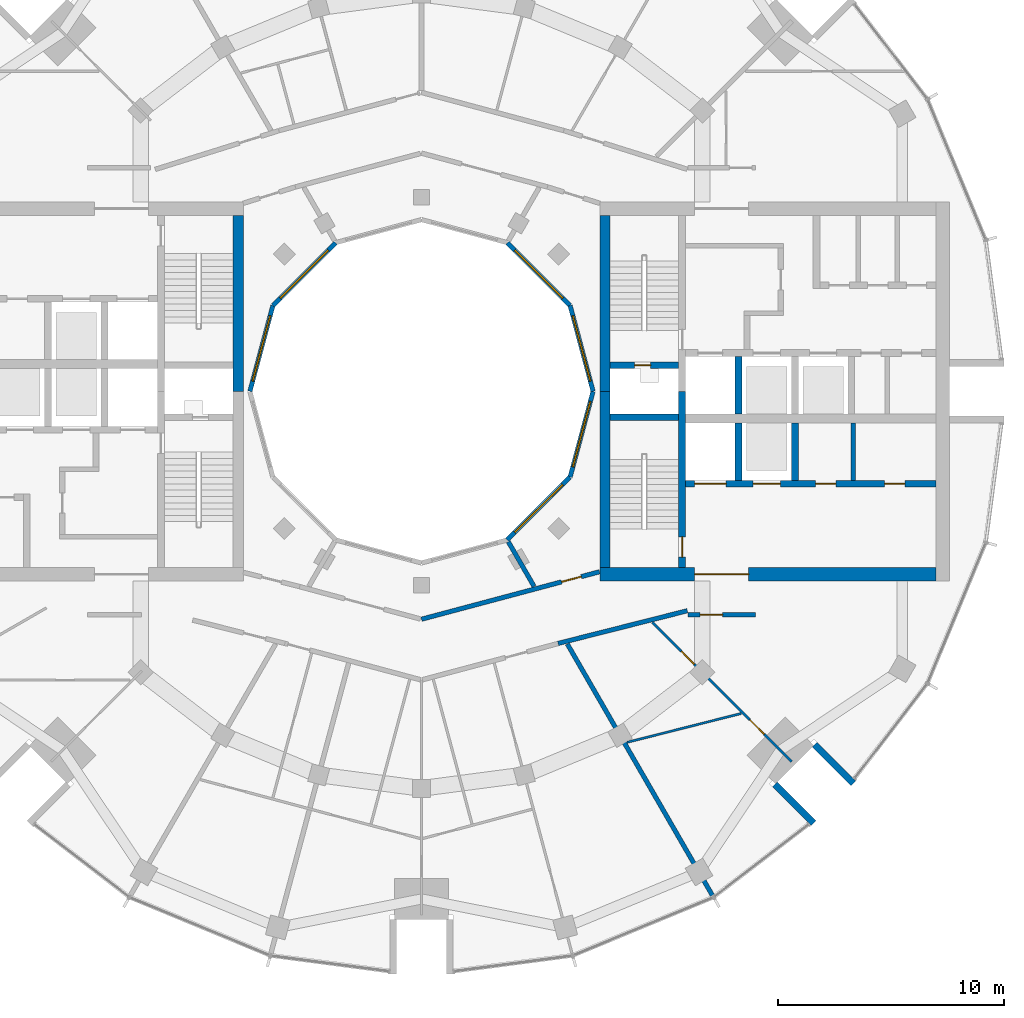
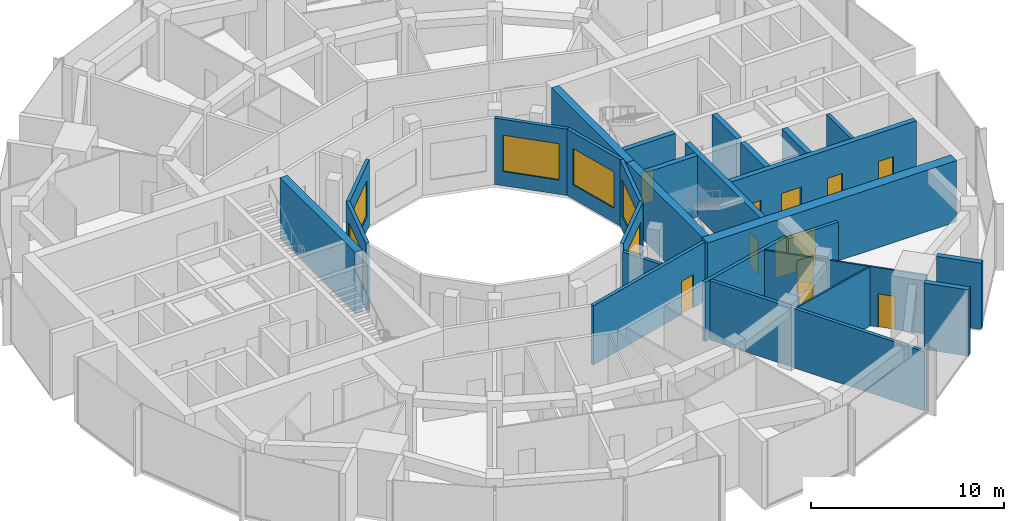
# One storey, part 10 of 15: 27 walls, 11 doors, 6 windows, 17 openings.
"""IFC4 building model written with IfcOpenShell, lengths in metres."""

from ifc_helpers import new_model, si_unit, direction, frame, frame_2d, origin, place, context, subcontext, project, spatial, rectangle, extrude, material, layer, layer_set, type_object, element, fill, save


model = new_model("IFC4")

# Units and contexts
model_context = context("Model", 3, precision=1e-05, world=origin(), true_north=direction((0.0, 1.0)))
body_context = subcontext(model_context, "Body", "Model", "MODEL_VIEW")
ifc_project = project(units=[si_unit("LENGTHUNIT", "METRE"), si_unit("AREAUNIT", "SQUARE_METRE"), si_unit("VOLUMEUNIT", "CUBIC_METRE"), si_unit("PLANEANGLEUNIT", "RADIAN"), si_unit("MASSUNIT", "GRAM", prefix="KILO")], contexts=[model_context])

# Site, building, storey
site_placement = place(None, origin())
site = spatial("IfcSite", under=ifc_project, at=site_placement, CompositionType="ELEMENT")
building_placement = place(site_placement, origin())
building = spatial("IfcBuilding", under=site, at=building_placement, Name="Torre Brocal", CompositionType="ELEMENT")
storey_placement = place(building_placement, frame((0.0, 0.0, 216.699951171875)))
storey = spatial("IfcBuildingStorey", under=building, at=storey_placement, Name="L50", CompositionType="ELEMENT", Elevation=216.699951171875)

# Wall
ifc_material_1 = material(Name="Masonry block", Category="masonry")
ifc_layer_1 = layer(ifc_material_1, 0.199951171875)
ifc_layer_set_1 = layer_set([ifc_layer_1], Name="Masonry block")
wall_type_1 = type_object("IfcWallType", Name="CORE PARTITION 200", PredefinedType="PARTITIONING", material=ifc_layer_set_1)
wall_1_placement = place(storey_placement, frame((99.139892578125, 71.050048828125, 0.0), z_axis=(0.0, 0.0, 1.0), x_axis=(0.0, 1.0, 0.0)))
element("IfcWall", 1, at=wall_1_placement, inside=storey, type_object=wall_type_1, Name="Wall CP200", PredefinedType="PARTITIONING", context=body_context, shape_type="SweptSolid", body=[
    extrude(rectangle(XDim=2.550048828125, YDim=0.199951171875, at=frame_2d((1.27490234375, 0.0))), origin(), (0.0, 0.0, 1.0), 3.880126953125),
])

# Wall, opening, door
ifc_material_2 = material(Name="Concrete C60", Category="concrete")
ifc_layer_2 = layer(ifc_material_2, 0.300048828125)
ifc_layer_set_2 = layer_set([ifc_layer_2], Name="Concrete C60")
wall_type_2 = type_object("IfcWallType", Name="CORE WALL 300 C60", PredefinedType="SHEAR", material=ifc_layer_set_2)
wall_2_placement = place(storey_placement, frame((91.550048828125, 67.199951171875, 0.0), z_axis=(0.0, 0.0, 1.0), x_axis=(0.0, 1.0, 0.0)))
wall_2 = element("IfcWall", 2, at=wall_2_placement, inside=storey, type_object=wall_type_2, Name="Wall CW300-60", PredefinedType="SHEAR", context=body_context, shape_type="SweptSolid", body=[
    extrude(rectangle(XDim=7.800048828125, YDim=0.300048828125, at=frame_2d((3.89990234375, 0.0))), origin(), (0.0, 0.0, 1.0), 3.880126953125),
])
opening_1_placement = place(wall_2_placement, frame((0.449951171875, 0.0, 0.0)))
opening_1 = element("IfcOpeningElement", 3, at=opening_1_placement, cuts=wall_2, Name="Opening E-D03", PredefinedType="OPENING", context=body_context, shape_type="SweptSolid", body=[
    extrude(rectangle(XDim=0.89990234375, YDim=2.10009765625, at=frame_2d((0.449951171875, 1.050048828125))), frame((0.0, 0.159912109375, 0.0), z_axis=(0.0, -1.0, 0.0), x_axis=(1.0, 0.0, 0.0)), (0.0, 0.0, 1.0), 0.320068359375),
])
ifc_material_3 = material(Name="Steel A653", Category="steel")
door_type_1 = type_object("IfcDoorType", Name="STAIR DOOR FD120 900X2100", OperationType="SINGLE_SWING_RIGHT", PredefinedType="DOOR", material=ifc_material_3)
door_1_placement = place(opening_1_placement, origin())
door_1 = element("IfcDoor", 4, at=door_1_placement, inside=storey, type_object=door_type_1, Name="Door E-D03", OperationType="SINGLE_SWING_LEFT", OverallHeight=2.10009765625, OverallWidth=0.89990234375, PredefinedType="DOOR", context=body_context, shape_type="SweptSolid", body=[
    extrude(rectangle(XDim=0.89990234375, YDim=2.10009765625, at=frame_2d((0.449951171875, 1.050048828125))), frame((0.0, 0.02490234375, 0.0), z_axis=(0.0, -1.0, 0.0), x_axis=(1.0, 0.0, 0.0)), (0.0, 0.0, 1.0), 0.050048828125),
])
fill(opening_1, door_1)

wall_3_placement = place(storey_placement, frame((88.35009765625, 76.14990234375, 0.0), z_axis=(0.0, 0.0, 1.0), x_axis=(1.0, 0.0, 0.0)))
wall_3 = element("IfcWall", 5, at=wall_3_placement, inside=storey, type_object=wall_type_2, Name="Wall CW300-60", PredefinedType="SHEAR", context=body_context, shape_type="SweptSolid", body=[
    extrude(rectangle(XDim=3.0498046875, YDim=0.300048828125, at=frame_2d((1.52490234375, 0.0))), origin(), (0.0, 0.0, 1.0), 3.880126953125),
])
opening_2_placement = place(wall_3_placement, frame((1.10009765625, 0.0, 0.0)))
opening_2 = element("IfcOpeningElement", 6, at=opening_2_placement, cuts=wall_3, Name="Opening E-D01", PredefinedType="OPENING", context=body_context, shape_type="SweptSolid", body=[
    extrude(rectangle(XDim=0.699951171875, YDim=2.0, at=frame_2d((0.35009765625, 1.0))), frame((0.0, 0.159912109375, 0.0), z_axis=(0.0, -1.0, 0.0), x_axis=(1.0, 0.0, 0.0)), (0.0, 0.0, 1.0), 0.320068359375),
])
ifc_material_4 = material(Name="Steel A653", Category="steel")
door_type_2 = type_object("IfcDoorType", Name="RISER DOOR FD120 700X2000", OperationType="SINGLE_SWING_LEFT", PredefinedType="DOOR", material=ifc_material_4)
door_2_placement = place(opening_2_placement, frame((0.699951171875, 0.0, 0.0), z_axis=(0.0, 0.0, 1.0), x_axis=(-1.0, 0.0, 0.0)))
door_2 = element("IfcDoor", 7, at=door_2_placement, inside=storey, type_object=door_type_2, Name="Door E-D01", OperationType="SINGLE_SWING_RIGHT", OverallHeight=2.0, OverallWidth=0.699951171875, PredefinedType="DOOR", context=body_context, shape_type="SweptSolid", body=[
    extrude(rectangle(XDim=0.699951171875, YDim=2.0, at=frame_2d((0.35009765625, 1.0))), frame((0.0, 0.02490234375, 0.0), z_axis=(0.0, -1.0, 0.0), x_axis=(1.0, 0.0, 0.0)), (0.0, 0.0, 1.0), 0.050048828125),
])
fill(opening_2, door_2)

# Wall
wall_4_placement = place(storey_placement, frame((88.35009765625, 73.85009765625, 0.0), z_axis=(0.0, 0.0, 1.0), x_axis=(1.0, 0.0, 0.0)))
element("IfcWall", 8, at=wall_4_placement, inside=storey, type_object=wall_type_2, Name="Wall CW300-60", PredefinedType="SHEAR", context=body_context, shape_type="SweptSolid", body=[
    extrude(rectangle(XDim=3.0498046875, YDim=0.300048828125, at=frame_2d((1.52490234375, 0.0))), origin(), (0.0, 0.0, 1.0), 3.880126953125),
])

# Wall, openings, doors
wall_5_placement = place(storey_placement, frame((91.699951171875, 70.89990234375, 0.0), z_axis=(0.0, 0.0, 1.0), x_axis=(1.0, 0.0, 0.0)))
wall_5 = element("IfcWall", 9, at=wall_5_placement, inside=storey, type_object=wall_type_2, Name="Wall CW300-60", PredefinedType="SHEAR", context=body_context, shape_type="SweptSolid", body=[
    extrude(rectangle(XDim=11.10009765625, YDim=0.300048828125, at=frame_2d((5.550048828125, 0.0))), origin(), (0.0, 0.0, 1.0), 3.880126953125),
])
opening_3_placement = place(wall_5_placement, frame((0.39990234375, 0.0, 0.0)))
opening_3 = element("IfcOpeningElement", 10, at=opening_3_placement, cuts=wall_5, Name="Opening LD14", PredefinedType="OPENING", context=body_context, shape_type="SweptSolid", body=[
    extrude(rectangle(XDim=1.39990234375, YDim=2.10009765625, at=frame_2d((0.699951171875, 1.050048828125))), frame((0.0, 0.159912109375, 0.0), z_axis=(0.0, -1.0, 0.0), x_axis=(1.0, 0.0, 0.0)), (0.0, 0.0, 1.0), 0.320068359375),
])
opening_4_placement = place(wall_5_placement, frame((3.0, 0.0, 0.0)))
opening_4 = element("IfcOpeningElement", 11, at=opening_4_placement, cuts=wall_5, Name="Opening LD12", PredefinedType="OPENING", context=body_context, shape_type="SweptSolid", body=[
    extrude(rectangle(XDim=1.199951171875, YDim=2.10009765625, at=frame_2d((0.60009765625, 1.050048828125))), frame((0.0, 0.159912109375, 0.0), z_axis=(0.0, -1.0, 0.0), x_axis=(1.0, 0.0, 0.0)), (0.0, 0.0, 1.0), 0.320068359375),
])
opening_5_placement = place(wall_5_placement, frame((5.77001953125, 0.0, 0.0)))
opening_5 = element("IfcOpeningElement", 12, at=opening_5_placement, cuts=wall_5, Name="Opening E-D06", PredefinedType="OPENING", context=body_context, shape_type="SweptSolid", body=[
    extrude(rectangle(XDim=0.89990234375, YDim=2.10009765625, at=frame_2d((0.449951171875, 1.050048828125))), frame((0.0, 0.159912109375, 0.0), z_axis=(0.0, -1.0, 0.0), x_axis=(1.0, 0.0, 0.0)), (0.0, 0.0, 1.0), 0.320068359375),
])
opening_6_placement = place(wall_5_placement, frame((8.820068359375, 0.0, 0.0)))
opening_6 = element("IfcOpeningElement", 13, at=opening_6_placement, cuts=wall_5, Name="Opening E-D07", PredefinedType="OPENING", context=body_context, shape_type="SweptSolid", body=[
    extrude(rectangle(XDim=0.89990234375, YDim=2.10009765625, at=frame_2d((0.449951171875, 1.050048828125))), frame((0.0, 0.159912109375, 0.0), z_axis=(0.0, -1.0, 0.0), x_axis=(1.0, 0.0, 0.0)), (0.0, 0.0, 1.0), 0.320068359375),
])
ifc_material_5 = material(Name="Stainless steel AISI 316", Category="steel")
door_type_3 = type_object("IfcDoorType", Name="LIFT LANDING DOOR 1200X2100", OperationType="DOUBLE_DOOR_SLIDING", PredefinedType="DOOR", material=ifc_material_5)
door_3_placement = place(opening_4_placement, origin())
door_3 = element("IfcDoor", 14, at=door_3_placement, inside=storey, type_object=door_type_3, Name="Door LD12", OperationType="DOUBLE_DOOR_SLIDING", OverallHeight=2.10009765625, OverallWidth=1.199951171875, PredefinedType="DOOR", context=body_context, shape_type="SweptSolid", body=[
    extrude(rectangle(XDim=1.199951171875, YDim=2.10009765625, at=frame_2d((0.60009765625, 1.050048828125))), frame((0.0, 0.02490234375, 0.0), z_axis=(0.0, -1.0, 0.0), x_axis=(1.0, 0.0, 0.0)), (0.0, 0.0, 1.0), 0.050048828125),
])
fill(opening_4, door_3)
ifc_material_6 = material(Name="Stainless steel AISI 316", Category="steel")
door_type_4 = type_object("IfcDoorType", Name="LIFT LANDING DOOR 1400X2100", OperationType="DOUBLE_DOOR_SLIDING", PredefinedType="DOOR", material=ifc_material_6)
door_4_placement = place(opening_3_placement, origin())
door_4 = element("IfcDoor", 15, at=door_4_placement, inside=storey, type_object=door_type_4, Name="Door LD14", OperationType="DOUBLE_DOOR_SLIDING", OverallHeight=2.10009765625, OverallWidth=1.39990234375, PredefinedType="DOOR", context=body_context, shape_type="SweptSolid", body=[
    extrude(rectangle(XDim=1.39990234375, YDim=2.10009765625, at=frame_2d((0.699951171875, 1.050048828125))), frame((0.0, 0.02490234375, 0.0), z_axis=(0.0, -1.0, 0.0), x_axis=(1.0, 0.0, 0.0)), (0.0, 0.0, 1.0), 0.050048828125),
])
fill(opening_3, door_4)
ifc_material_7 = material(Name="Steel A653", Category="steel")
door_type_5 = type_object("IfcDoorType", Name="ROOM DOOR FD30S 900X2100", OperationType="SINGLE_SWING_LEFT", PredefinedType="DOOR", material=ifc_material_7)
door_5_placement = place(opening_5_placement, origin())
door_5 = element("IfcDoor", 16, at=door_5_placement, inside=storey, type_object=door_type_5, Name="Door E-D06", OperationType="SINGLE_SWING_RIGHT", OverallHeight=2.10009765625, OverallWidth=0.89990234375, PredefinedType="DOOR", context=body_context, shape_type="SweptSolid", body=[
    extrude(rectangle(XDim=0.89990234375, YDim=2.10009765625, at=frame_2d((0.449951171875, 1.050048828125))), frame((0.0, 0.02490234375, 0.0), z_axis=(0.0, -1.0, 0.0), x_axis=(1.0, 0.0, 0.0)), (0.0, 0.0, 1.0), 0.050048828125),
])
fill(opening_5, door_5)
door_6_placement = place(opening_6_placement, origin())
door_6 = element("IfcDoor", 17, at=door_6_placement, inside=storey, type_object=door_type_5, Name="Door E-D07", OperationType="SINGLE_SWING_LEFT", OverallHeight=2.10009765625, OverallWidth=0.89990234375, PredefinedType="DOOR", context=body_context, shape_type="SweptSolid", body=[
    extrude(rectangle(XDim=0.89990234375, YDim=2.10009765625, at=frame_2d((0.449951171875, 1.050048828125))), frame((0.0, 0.02490234375, 0.0), z_axis=(0.0, -1.0, 0.0), x_axis=(1.0, 0.0, 0.0)), (0.0, 0.0, 1.0), 0.050048828125),
])
fill(opening_6, door_6)

# Walls
for number, where, z_axis, x_axis, name in (
    (18, (94.050048828125, 74.0, 0.0), (0.0, 0.0, 1.0), (0.0, 1.0, 0.0), "Wall CW300-60"),
    (19, (94.050048828125, 71.050048828125, 0.0), (0.0, 0.0, 1.0), (0.0, 1.0, 0.0), "Wall CW300-60"),
    (20, (96.550048828125, 71.050048828125, 0.0), (0.0, 0.0, 1.0), (0.0, 1.0, 0.0), "Wall CW300-60"),
):
    element("IfcWall", number, at=place(storey_placement, frame(where, z_axis=z_axis, x_axis=x_axis)), inside=storey, type_object=wall_type_2, Name=name, PredefinedType="SHEAR", context=body_context, shape_type="SweptSolid", body=[
        extrude(rectangle(XDim=2.550048828125, YDim=0.300048828125, at=frame_2d((1.27490234375, 0.0))), origin(), (0.0, 0.0, 1.0), 3.880126953125),
    ])
ifc_material_8 = material(Name="Concrete C60", Category="concrete")
ifc_layer_3 = layer(ifc_material_8, 0.449951171875)
ifc_layer_set_3 = layer_set([ifc_layer_3], Name="Concrete C60")
wall_type_3 = type_object("IfcWallType", Name="CORE WALL 450 C60", PredefinedType="SHEAR", material=ifc_layer_set_3)
for number, where, z_axis, x_axis, name in (
    (21, (88.125, 75.0, 0.0), (0.0, 0.0, 1.0), (0.0, 1.0, 0.0), "Wall CW450-60"),
    (22, (88.125, 67.199951171875, 0.0), (0.0, 0.0, 1.0), (0.0, 1.0, 0.0), "Wall CW450-60"),
    (23, (71.875, 82.800048828125, 0.0), (0.0, 0.0, 1.0), (0.0, -1.0, 0.0), "Wall CW450-60"),
):
    element("IfcWall", number, at=place(storey_placement, frame(where, z_axis=z_axis, x_axis=x_axis)), inside=storey, type_object=wall_type_3, Name=name, PredefinedType="SHEAR", context=body_context, shape_type="SweptSolid", body=[
        extrude(rectangle(XDim=7.800048828125, YDim=0.449951171875, at=frame_2d((3.89990234375, 0.0))), origin(), (0.0, 0.0, 1.0), 3.880126953125),
    ])

# Wall, opening, door
ifc_material_9 = material(Name="Concrete C60", Category="concrete")
ifc_layer_4 = layer(ifc_material_9, 0.60009765625)
ifc_layer_set_4 = layer_set([ifc_layer_4], Name="Concrete C60")
wall_type_4 = type_object("IfcWallType", Name="CORE WALL 600 C60", PredefinedType="SHEAR", material=ifc_layer_set_4)
wall_6_placement = place(storey_placement, frame((87.89990234375, 66.89990234375, 0.0), z_axis=(0.0, 0.0, 1.0), x_axis=(1.0, 0.0, 0.0)))
wall_6 = element("IfcWall", 24, at=wall_6_placement, inside=storey, type_object=wall_type_4, Name="Wall CW600-60", PredefinedType="SHEAR", context=body_context, shape_type="SweptSolid", body=[
    extrude(rectangle(XDim=14.900146484375, YDim=0.60009765625, at=frame_2d((7.4501953125, 0.0))), origin(), (0.0, 0.0, 1.0), 3.880126953125),
])
opening_7_placement = place(wall_6_placement, frame((4.199951171875, 0.0, 0.0)))
opening_7 = element("IfcOpeningElement", 25, at=opening_7_placement, cuts=wall_6, Name="Opening E-D13", PredefinedType="OPENING", context=body_context, shape_type="SweptSolid", body=[
    extrude(rectangle(XDim=2.39990234375, YDim=2.39990234375, at=frame_2d((1.199951171875, 1.199951171875))), frame((0.0, 0.31005859375, 0.0), z_axis=(0.0, -1.0, 0.0), x_axis=(1.0, 0.0, 0.0)), (0.0, 0.0, 1.0), 0.6201171875),
])
ifc_material_10 = material(Name="Steel A653", Category="steel")
door_type_6 = type_object("IfcDoorType", Name="DOUBLE FIRE DOOR FD90 2400X2400", OperationType="DOUBLE_DOOR_SINGLE_SWING", PredefinedType="DOOR", material=ifc_material_10)
door_7_placement = place(opening_7_placement, origin())
door_7 = element("IfcDoor", 26, at=door_7_placement, inside=storey, type_object=door_type_6, Name="Door E-D13", OperationType="DOUBLE_DOOR_SINGLE_SWING", OverallHeight=2.39990234375, OverallWidth=2.39990234375, PredefinedType="DOOR", context=body_context, shape_type="SweptSolid", body=[
    extrude(rectangle(XDim=2.39990234375, YDim=2.39990234375, at=frame_2d((1.199951171875, 1.199951171875))), frame((0.0, 0.02490234375, 0.0), z_axis=(0.0, -1.0, 0.0), x_axis=(1.0, 0.0, 0.0)), (0.0, 0.0, 1.0), 0.050048828125),
])
fill(opening_7, door_7)

# Walls
ifc_material_11 = material(Name="Concrete C60", Category="concrete")
ifc_layer_5 = layer(ifc_material_11, 0.300048828125)
ifc_layer_set_5 = layer_set([ifc_layer_5], Name="Concrete C60")
wall_type_5 = type_object("IfcWallType", Name="NOTCH RETURN WALL 300 C60", PredefinedType="NOTDEFINED", material=ifc_layer_set_5)
for number, where, z_axis, x_axis, name in (
    (27, (95.662353515625, 57.56982421875, 0.0), (0.0, 0.0, 1.0), (0.707106781187, -0.707106781187, 0.0), "NOTCH RETURN WALL"),
    (28, (97.43017578125, 59.337646484375, 0.0), (0.0, 0.0, 1.0), (0.707106781187, -0.707106781187, 0.0), "NOTCH RETURN WALL"),
):
    element("IfcWall", number, at=place(storey_placement, frame(where, z_axis=z_axis, x_axis=x_axis)), inside=storey, type_object=wall_type_5, Name=name, PredefinedType="NOTDEFINED", context=body_context, shape_type="SweptSolid", body=[
        extrude(rectangle(XDim=2.415771484375, YDim=0.300048828125, at=frame_2d((1.2080078125, 0.0))), origin(), (0.0, 0.0, 1.0), 4.199951171875),
    ])
ifc_material_12 = material(Name="Gypsum board", Category="Gypsum")
ifc_layer_6 = layer(ifc_material_12, 0.10009765625)
ifc_layer_set_6 = layer_set([ifc_layer_6], Name="Gypsum board")
wall_type_6 = type_object("IfcWallType", Name="PARTITION 100", PredefinedType="PARTITIONING", material=ifc_layer_set_6)
wall_7_placement = place(storey_placement, frame((89.105712890625, 59.44091796875, 0.0), z_axis=(0.0, 0.0, 1.0), x_axis=(0.969462385749, 0.245240051009, 0.0)))
element("IfcWall", 29, at=wall_7_placement, inside=storey, type_object=wall_type_6, Name="BATHROOM WALL", PredefinedType="PARTITIONING", context=body_context, shape_type="SweptSolid", body=[
    extrude(rectangle(XDim=5.223388671875, YDim=0.10009765625, at=frame_2d((2.61181640625, 0.0))), origin(), (0.0, 0.0, 1.0), 3.75),
])

# Wall, openings, doors
wall_8_placement = place(storey_placement, frame((90.23583984375, 64.7578125, 0.0), z_axis=(0.0, 0.0, 1.0), x_axis=(0.706938769128, -0.707274753334, 0.0)))
wall_8 = element("IfcWall", 30, at=wall_8_placement, inside=storey, type_object=wall_type_6, Name="BATHROOM WALL", PredefinedType="PARTITIONING", context=body_context, shape_type="SweptSolid", body=[
    extrude(rectangle(XDim=8.7197265625, YDim=0.10009765625, at=frame_2d((4.35986328125, 0.0))), origin(), (0.0, 0.0, 1.0), 3.75),
])
opening_8_placement = place(wall_8_placement, frame((6.114501953125, 0.0, 0.0)))
opening_8 = element("IfcOpeningElement", 31, at=opening_8_placement, cuts=wall_8, Name="Opening B01-D21", PredefinedType="OPENING", context=body_context, shape_type="SweptSolid", body=[
    extrude(rectangle(XDim=0.89990234375, YDim=2.10009765625, at=frame_2d((0.449951171875, 1.050048828125))), frame((0.0, 0.06005859375, 0.0), z_axis=(0.0, -1.0, 0.0), x_axis=(1.0, 0.0, 0.0)), (0.0, 0.0, 1.0), 0.1201171875),
])
opening_9_placement = place(wall_8_placement, frame((1.817138671875, 0.0, 0.0)))
opening_9 = element("IfcOpeningElement", 32, at=opening_9_placement, cuts=wall_8, Name="Opening B01-D22", PredefinedType="OPENING", context=body_context, shape_type="SweptSolid", body=[
    extrude(rectangle(XDim=0.800048828125, YDim=2.10009765625, at=frame_2d((0.39990234375, 1.050048828125))), frame((0.0, 0.06005859375, 0.0), z_axis=(0.0, -1.0, 0.0), x_axis=(1.0, 0.0, 0.0)), (0.0, 0.0, 1.0), 0.1201171875),
])
ifc_material_13 = material(Name="Timber", Category="wood")
door_type_7 = type_object("IfcDoorType", Name="BATHROOM DOOR 800X2100", OperationType="SINGLE_SWING_LEFT", PredefinedType="DOOR", material=ifc_material_13)
door_8_placement = place(opening_9_placement, frame((0.800048828125, 0.0, 0.0), z_axis=(0.0, 0.0, 1.0), x_axis=(-1.0, 0.0, 0.0)))
door_8 = element("IfcDoor", 33, at=door_8_placement, inside=storey, type_object=door_type_7, Name="B01-D22", OperationType="SINGLE_SWING_RIGHT", OverallHeight=2.10009765625, OverallWidth=0.800048828125, PredefinedType="DOOR", context=body_context, shape_type="SweptSolid", body=[
    extrude(rectangle(XDim=0.800048828125, YDim=2.10009765625, at=frame_2d((0.39990234375, 1.050048828125))), frame((0.0, 0.02490234375, 0.0), z_axis=(0.0, -1.0, 0.0), x_axis=(1.0, 0.0, 0.0)), (0.0, 0.0, 1.0), 0.050048828125),
])
fill(opening_9, door_8)
ifc_material_14 = material(Name="Timber", Category="wood")
door_type_8 = type_object("IfcDoorType", Name="ROOM DOOR 900X2100", OperationType="SINGLE_SWING_LEFT", PredefinedType="DOOR", material=ifc_material_14)
door_9_placement = place(opening_8_placement, origin())
door_9 = element("IfcDoor", 34, at=door_9_placement, inside=storey, type_object=door_type_8, Name="B01-D21", OperationType="SINGLE_SWING_LEFT", OverallHeight=2.10009765625, OverallWidth=0.89990234375, PredefinedType="DOOR", context=body_context, shape_type="SweptSolid", body=[
    extrude(rectangle(XDim=0.89990234375, YDim=2.10009765625, at=frame_2d((0.449951171875, 1.050048828125))), frame((0.0, 0.02490234375, 0.0), z_axis=(0.0, -1.0, 0.0), x_axis=(1.0, 0.0, 0.0)), (0.0, 0.0, 1.0), 0.050048828125),
])
fill(opening_8, door_9)

# Wall, opening, door
ifc_material_15 = material(Name="Gypsum board", Category="Gypsum")
ifc_layer_7 = layer(ifc_material_15, 0.199951171875)
ifc_layer_set_7 = layer_set([ifc_layer_7], Name="Gypsum board")
wall_type_7 = type_object("IfcWallType", Name="PARTITION 200 EI60", PredefinedType="PARTITIONING", material=ifc_layer_set_7)
wall_9_placement = place(storey_placement, frame((79.99951171875, 64.89794921875, 0.0), z_axis=(0.0, 0.0, 1.0), x_axis=(0.966237419782, 0.257653349704, 0.0)))
wall_9 = element("IfcWall", 35, at=wall_9_placement, inside=storey, type_object=wall_type_7, Name="CORRIDOR WALL", PredefinedType="PARTITIONING", context=body_context, shape_type="SweptSolid", body=[
    extrude(rectangle(XDim=8.1689453125, YDim=0.199951171875, at=frame_2d((4.08447265625, 0.0))), origin(), (0.0, 0.0, 1.0), 3.75),
])
opening_10_placement = place(wall_9_placement, frame((6.427978515625, 0.0, 0.0)))
opening_10 = element("IfcOpeningElement", 36, at=opening_10_placement, cuts=wall_9, Name="Opening B01-D37", PredefinedType="OPENING", context=body_context, shape_type="SweptSolid", body=[
    extrude(rectangle(XDim=0.89990234375, YDim=2.10009765625, at=frame_2d((0.449951171875, 1.050048828125))), frame((0.0, 0.10986328125, 0.0), z_axis=(0.0, -1.0, 0.0), x_axis=(1.0, 0.0, 0.0)), (0.0, 0.0, 1.0), 0.219970703125),
])
door_10_placement = place(opening_10_placement, origin())
door_10 = element("IfcDoor", 37, at=door_10_placement, inside=storey, type_object=door_type_8, Name="B01-D37", OperationType="SINGLE_SWING_RIGHT", OverallHeight=2.10009765625, OverallWidth=0.89990234375, PredefinedType="DOOR", context=body_context, shape_type="SweptSolid", body=[
    extrude(rectangle(XDim=0.89990234375, YDim=2.10009765625, at=frame_2d((0.449951171875, 1.050048828125))), frame((0.0, 0.02490234375, 0.0), z_axis=(0.0, -1.0, 0.0), x_axis=(1.0, 0.0, 0.0)), (0.0, 0.0, 1.0), 0.050048828125),
])
fill(opening_10, door_10)

# Walls
wall_10_placement = place(storey_placement, frame((83.84814453125, 68.331298828125, 0.0), z_axis=(0.0, 0.0, 1.0), x_axis=(0.499851978358, -0.866110847255, 0.0)))
element("IfcWall", 38, at=wall_10_placement, inside=storey, type_object=wall_type_7, Name="SERVICE ROOM WALL", PredefinedType="PARTITIONING", context=body_context, shape_type="SweptSolid", body=[
    extrude(rectangle(XDim=2.284423828125, YDim=0.199951171875, at=frame_2d((1.14208984375, 0.0))), origin(), (0.0, 0.0, 1.0), 3.75),
])
wall_11_placement = place(storey_placement, frame((86.052978515625, 63.826171875, 0.0), z_axis=(0.0, 0.0, 1.0), x_axis=(0.969490004987, 0.245130843083, 0.0)))
element("IfcWall", 39, at=wall_11_placement, inside=storey, type_object=wall_type_7, Name="FLAT ENTRANCE WALL", PredefinedType="PARTITIONING", context=body_context, shape_type="SweptSolid", body=[
    extrude(rectangle(XDim=5.907958984375, YDim=0.199951171875, at=frame_2d((2.9541015625, 0.0))), origin(), (0.0, 0.0, 1.0), 3.75),
])
wall_12_placement = place(storey_placement, frame((86.46337890625, 63.7998046875, 0.0), z_axis=(0.0, 0.0, 1.0), x_axis=(0.499827034849, -0.866125242234, 0.0)))
element("IfcWall", 40, at=wall_12_placement, inside=storey, type_object=wall_type_7, Name="BATHROOM WALL", PredefinedType="PARTITIONING", context=body_context, shape_type="SweptSolid", body=[
    extrude(rectangle(XDim=12.8662109375, YDim=0.199951171875, at=frame_2d((6.43310546875, 0.0))), origin(), (0.0, 0.0, 1.0), 3.75),
])

# Wall, opening, door
wall_13_placement = place(storey_placement, frame((91.800048828125, 65.10009765625, 0.0), z_axis=(0.0, 0.0, 1.0), x_axis=(1.0, 0.0, 0.0)))
wall_13 = element("IfcWall", 41, at=wall_13_placement, inside=storey, type_object=wall_type_7, Name="FLAT ENTRANCE WALL", PredefinedType="PARTITIONING", context=body_context, shape_type="SweptSolid", body=[
    extrude(rectangle(XDim=3.0, YDim=0.199951171875, at=frame_2d((1.5, 0.0))), origin(), (0.0, 0.0, 1.0), 3.75),
])
opening_11_placement = place(wall_13_placement, frame((0.550048828125, 0.0, 0.0)))
opening_11 = element("IfcOpeningElement", 42, at=opening_11_placement, cuts=wall_13, Name="Opening B01-D20", PredefinedType="OPENING", context=body_context, shape_type="SweptSolid", body=[
    extrude(rectangle(XDim=1.0, YDim=2.10009765625, at=frame_2d((0.5, 1.050048828125))), frame((0.0, 0.10986328125, 0.0), z_axis=(0.0, -1.0, 0.0), x_axis=(1.0, 0.0, 0.0)), (0.0, 0.0, 1.0), 0.219970703125),
])
ifc_material_16 = material(Name="Timber", Category="wood")
door_type_9 = type_object("IfcDoorType", Name="FLAT ENTRY DOOR FD30S 1000X2100", OperationType="SINGLE_SWING_RIGHT", PredefinedType="DOOR", material=ifc_material_16)
door_11_placement = place(opening_11_placement, frame((1.0, 0.0, 0.0), z_axis=(0.0, 0.0, 1.0), x_axis=(-1.0, 0.0, 0.0)))
door_11 = element("IfcDoor", 43, at=door_11_placement, inside=storey, type_object=door_type_9, Name="B01-D20", OperationType="SINGLE_SWING_RIGHT", OverallHeight=2.10009765625, OverallWidth=1.0, PredefinedType="DOOR", context=body_context, shape_type="SweptSolid", body=[
    extrude(rectangle(XDim=1.0, YDim=2.10009765625, at=frame_2d((0.5, 1.050048828125))), frame((0.0, 0.02490234375, 0.0), z_axis=(0.0, -1.0, 0.0), x_axis=(1.0, 0.0, 0.0)), (0.0, 0.0, 1.0), 0.050048828125),
])
fill(opening_11, door_11)

# Wall, opening, window
ifc_material_17 = material(Name="Concrete C40", Category="concrete")
ifc_layer_8 = layer(ifc_material_17, 0.199951171875)
ifc_layer_set_8 = layer_set([ifc_layer_8], Name="Concrete C40")
wall_type_8 = type_object("IfcWallType", Name="WELL FACADE WALL 200", PredefinedType="NOTDEFINED", material=ifc_layer_set_8)
wall_14_placement = place(storey_placement, frame((87.603515625, 75.0, 0.0), z_axis=(0.0, 0.0, 1.0), x_axis=(-0.258789828301, 0.965933654434, 0.0)))
wall_14 = element("IfcWall", 44, at=wall_14_placement, inside=storey, type_object=wall_type_8, Name="WELL FACADE WALL", PredefinedType="NOTDEFINED", context=body_context, shape_type="SweptSolid", body=[
    extrude(rectangle(XDim=3.935791015625, YDim=0.199951171875, at=frame_2d((1.9677734375, 0.0))), origin(), (0.0, 0.0, 1.0), 4.199951171875),
])
opening_12_placement = place(wall_14_placement, frame((0.468017578125, 0.0, 0.89990234375)))
opening_12 = element("IfcOpeningElement", 45, at=opening_12_placement, cuts=wall_14, Name="Opening W1", PredefinedType="OPENING", context=body_context, shape_type="SweptSolid", body=[
    extrude(rectangle(XDim=3.0, YDim=2.300048828125, at=frame_2d((1.5, 1.14990234375))), frame((0.0, 0.10986328125, 0.0), z_axis=(0.0, -1.0, 0.0), x_axis=(1.0, 0.0, 0.0)), (0.0, 0.0, 1.0), 0.219970703125),
])
ifc_material_18 = material(Name="Aluminium and glass", Category="aluminium")
window_type = type_object("IfcWindowType", Name="WELL WINDOW 3000X2300", PartitioningType="SINGLE_PANEL", PredefinedType="WINDOW", material=ifc_material_18)
window_1_placement = place(opening_12_placement, origin())
window_1 = element("IfcWindow", 46, at=window_1_placement, inside=storey, type_object=window_type, Name="WELL WINDOW 3000X2300", OverallHeight=2.300048828125, OverallWidth=3.0, PartitioningType="SINGLE_PANEL", PredefinedType="WINDOW", context=body_context, shape_type="SweptSolid", body=[
    extrude(rectangle(XDim=3.0, YDim=2.300048828125, at=frame_2d((1.5, 1.14990234375))), frame((0.0, 0.030029296875, 0.0), z_axis=(0.0, -1.0, 0.0), x_axis=(1.0, 0.0, 0.0)), (0.0, 0.0, 1.0), 0.06005859375),
])
fill(opening_12, window_1)

wall_15_placement = place(storey_placement, frame((86.5849609375, 78.8017578125, 0.0), z_axis=(0.0, 0.0, 1.0), x_axis=(-0.707106781187, 0.707106781187, 0.0)))
wall_15 = element("IfcWall", 47, at=wall_15_placement, inside=storey, type_object=wall_type_8, Name="WELL FACADE WALL", PredefinedType="NOTDEFINED", context=body_context, shape_type="SweptSolid", body=[
    extrude(rectangle(XDim=3.93603515625, YDim=0.199951171875, at=frame_2d((1.968017578125, 0.0))), origin(), (0.0, 0.0, 1.0), 4.199951171875),
])
opening_13_placement = place(wall_15_placement, frame((0.468017578125, 0.0, 0.89990234375)))
opening_13 = element("IfcOpeningElement", 48, at=opening_13_placement, cuts=wall_15, Name="Opening W1", PredefinedType="OPENING", context=body_context, shape_type="SweptSolid", body=[
    extrude(rectangle(XDim=3.0, YDim=2.300048828125, at=frame_2d((1.5, 1.14990234375))), frame((0.0, 0.10986328125, 0.0), z_axis=(0.0, -1.0, 0.0), x_axis=(1.0, 0.0, 0.0)), (0.0, 0.0, 1.0), 0.219970703125),
])
window_2_placement = place(opening_13_placement, origin())
window_2 = element("IfcWindow", 49, at=window_2_placement, inside=storey, type_object=window_type, Name="WELL WINDOW 3000X2300", OverallHeight=2.300048828125, OverallWidth=3.0, PartitioningType="SINGLE_PANEL", PredefinedType="WINDOW", context=body_context, shape_type="SweptSolid", body=[
    extrude(rectangle(XDim=3.0, YDim=2.300048828125, at=frame_2d((1.5, 1.14990234375))), frame((0.0, 0.030029296875, 0.0), z_axis=(0.0, -1.0, 0.0), x_axis=(1.0, 0.0, 0.0)), (0.0, 0.0, 1.0), 0.06005859375),
])
fill(opening_13, window_2)

wall_16_placement = place(storey_placement, frame((76.1982421875, 81.5849609375, 0.0), z_axis=(0.0, 0.0, 1.0), x_axis=(-0.707106781187, -0.707106781187, 0.0)))
wall_16 = element("IfcWall", 50, at=wall_16_placement, inside=storey, type_object=wall_type_8, Name="WELL FACADE WALL", PredefinedType="NOTDEFINED", context=body_context, shape_type="SweptSolid", body=[
    extrude(rectangle(XDim=3.93603515625, YDim=0.199951171875, at=frame_2d((1.968017578125, 0.0))), origin(), (0.0, 0.0, 1.0), 4.199951171875),
])
opening_14_placement = place(wall_16_placement, frame((0.468017578125, 0.0, 0.89990234375)))
opening_14 = element("IfcOpeningElement", 51, at=opening_14_placement, cuts=wall_16, Name="Opening W1", PredefinedType="OPENING", context=body_context, shape_type="SweptSolid", body=[
    extrude(rectangle(XDim=3.0, YDim=2.300048828125, at=frame_2d((1.5, 1.14990234375))), frame((0.0, 0.10986328125, 0.0), z_axis=(0.0, -1.0, 0.0), x_axis=(1.0, 0.0, 0.0)), (0.0, 0.0, 1.0), 0.219970703125),
])
window_3_placement = place(opening_14_placement, origin())
window_3 = element("IfcWindow", 52, at=window_3_placement, inside=storey, type_object=window_type, Name="WELL WINDOW 3000X2300", OverallHeight=2.300048828125, OverallWidth=3.0, PartitioningType="SINGLE_PANEL", PredefinedType="WINDOW", context=body_context, shape_type="SweptSolid", body=[
    extrude(rectangle(XDim=3.0, YDim=2.300048828125, at=frame_2d((1.5, 1.14990234375))), frame((0.0, 0.030029296875, 0.0), z_axis=(0.0, -1.0, 0.0), x_axis=(1.0, 0.0, 0.0)), (0.0, 0.0, 1.0), 0.06005859375),
])
fill(opening_14, window_3)

wall_17_placement = place(storey_placement, frame((73.4150390625, 78.8017578125, 0.0), z_axis=(0.0, 0.0, 1.0), x_axis=(-0.258789828301, -0.965933654434, 0.0)))
wall_17 = element("IfcWall", 53, at=wall_17_placement, inside=storey, type_object=wall_type_8, Name="WELL FACADE WALL", PredefinedType="NOTDEFINED", context=body_context, shape_type="SweptSolid", body=[
    extrude(rectangle(XDim=3.935791015625, YDim=0.199951171875, at=frame_2d((1.9677734375, 0.0))), origin(), (0.0, 0.0, 1.0), 4.199951171875),
])
opening_15_placement = place(wall_17_placement, frame((0.468017578125, 0.0, 0.89990234375)))
opening_15 = element("IfcOpeningElement", 54, at=opening_15_placement, cuts=wall_17, Name="Opening W1", PredefinedType="OPENING", context=body_context, shape_type="SweptSolid", body=[
    extrude(rectangle(XDim=3.0, YDim=2.300048828125, at=frame_2d((1.5, 1.14990234375))), frame((0.0, 0.10986328125, 0.0), z_axis=(0.0, -1.0, 0.0), x_axis=(1.0, 0.0, 0.0)), (0.0, 0.0, 1.0), 0.219970703125),
])
window_4_placement = place(opening_15_placement, origin())
window_4 = element("IfcWindow", 55, at=window_4_placement, inside=storey, type_object=window_type, Name="WELL WINDOW 3000X2300", OverallHeight=2.300048828125, OverallWidth=3.0, PartitioningType="SINGLE_PANEL", PredefinedType="WINDOW", context=body_context, shape_type="SweptSolid", body=[
    extrude(rectangle(XDim=3.0, YDim=2.300048828125, at=frame_2d((1.5, 1.14990234375))), frame((0.0, 0.030029296875, 0.0), z_axis=(0.0, -1.0, 0.0), x_axis=(1.0, 0.0, 0.0)), (0.0, 0.0, 1.0), 0.06005859375),
])
fill(opening_15, window_4)

wall_18_placement = place(storey_placement, frame((83.8017578125, 68.4150390625, 0.0), z_axis=(0.0, 0.0, 1.0), x_axis=(0.707106781187, 0.707106781187, 0.0)))
wall_18 = element("IfcWall", 56, at=wall_18_placement, inside=storey, type_object=wall_type_8, Name="WELL FACADE WALL", PredefinedType="NOTDEFINED", context=body_context, shape_type="SweptSolid", body=[
    extrude(rectangle(XDim=3.93603515625, YDim=0.199951171875, at=frame_2d((1.968017578125, 0.0))), origin(), (0.0, 0.0, 1.0), 4.199951171875),
])
opening_16_placement = place(wall_18_placement, frame((0.468017578125, 0.0, 0.89990234375)))
opening_16 = element("IfcOpeningElement", 57, at=opening_16_placement, cuts=wall_18, Name="Opening W1", PredefinedType="OPENING", context=body_context, shape_type="SweptSolid", body=[
    extrude(rectangle(XDim=3.0, YDim=2.300048828125, at=frame_2d((1.5, 1.14990234375))), frame((0.0, 0.10986328125, 0.0), z_axis=(0.0, -1.0, 0.0), x_axis=(1.0, 0.0, 0.0)), (0.0, 0.0, 1.0), 0.219970703125),
])
window_5_placement = place(opening_16_placement, origin())
window_5 = element("IfcWindow", 58, at=window_5_placement, inside=storey, type_object=window_type, Name="WELL WINDOW 3000X2300", OverallHeight=2.300048828125, OverallWidth=3.0, PartitioningType="SINGLE_PANEL", PredefinedType="WINDOW", context=body_context, shape_type="SweptSolid", body=[
    extrude(rectangle(XDim=3.0, YDim=2.300048828125, at=frame_2d((1.5, 1.14990234375))), frame((0.0, 0.030029296875, 0.0), z_axis=(0.0, -1.0, 0.0), x_axis=(1.0, 0.0, 0.0)), (0.0, 0.0, 1.0), 0.06005859375),
])
fill(opening_16, window_5)

wall_19_placement = place(storey_placement, frame((86.5849609375, 71.1982421875, 0.0), z_axis=(0.0, 0.0, 1.0), x_axis=(0.258789828301, 0.965933654434, 0.0)))
wall_19 = element("IfcWall", 59, at=wall_19_placement, inside=storey, type_object=wall_type_8, Name="WELL FACADE WALL", PredefinedType="NOTDEFINED", context=body_context, shape_type="SweptSolid", body=[
    extrude(rectangle(XDim=3.935791015625, YDim=0.199951171875, at=frame_2d((1.9677734375, 0.0))), origin(), (0.0, 0.0, 1.0), 4.199951171875),
])
opening_17_placement = place(wall_19_placement, frame((0.468017578125, 0.0, 0.89990234375)))
opening_17 = element("IfcOpeningElement", 60, at=opening_17_placement, cuts=wall_19, Name="Opening W1", PredefinedType="OPENING", context=body_context, shape_type="SweptSolid", body=[
    extrude(rectangle(XDim=3.0, YDim=2.300048828125, at=frame_2d((1.5, 1.14990234375))), frame((0.0, 0.10986328125, 0.0), z_axis=(0.0, -1.0, 0.0), x_axis=(1.0, 0.0, 0.0)), (0.0, 0.0, 1.0), 0.219970703125),
])
window_6_placement = place(opening_17_placement, origin())
window_6 = element("IfcWindow", 61, at=window_6_placement, inside=storey, type_object=window_type, Name="WELL WINDOW 3000X2300", OverallHeight=2.300048828125, OverallWidth=3.0, PartitioningType="SINGLE_PANEL", PredefinedType="WINDOW", context=body_context, shape_type="SweptSolid", body=[
    extrude(rectangle(XDim=3.0, YDim=2.300048828125, at=frame_2d((1.5, 1.14990234375))), frame((0.0, 0.030029296875, 0.0), z_axis=(0.0, -1.0, 0.0), x_axis=(1.0, 0.0, 0.0)), (0.0, 0.0, 1.0), 0.06005859375),
])
fill(opening_17, window_6)

save(model, "model.ifc")
